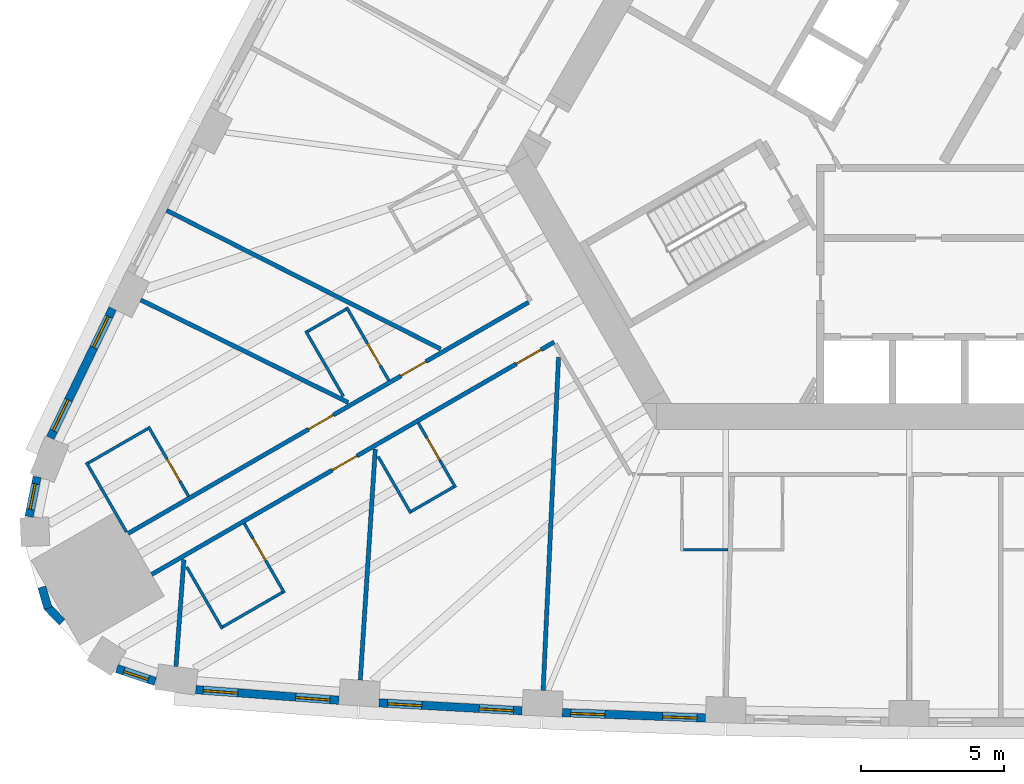
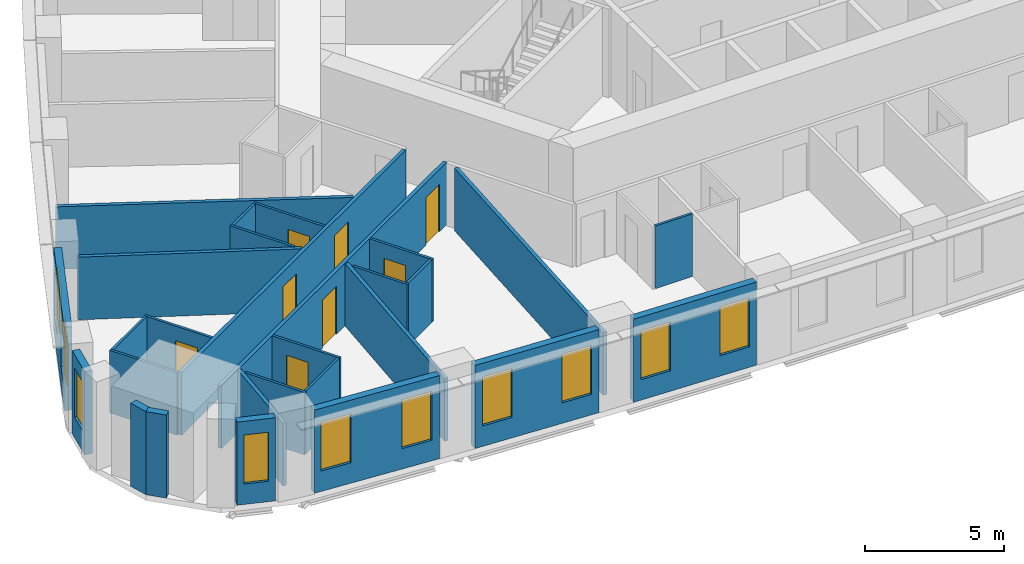
# One storey, part 3 of 13: 28 walls, 10 windows, 8 doors, 18 openings.
"""IFC4 building model written with IfcOpenShell, lengths in metres."""

from ifc_helpers import new_model, si_unit, direction, frame, frame_2d, origin, place, context, subcontext, project, spatial, rectangle, extrude, material, layer, layer_set, type_object, element, fill, save


model = new_model("IFC4")

# Units and contexts
model_context = context("Model", 3, precision=1e-05, world=origin(), true_north=direction((0.0, 1.0)))
body_context = subcontext(model_context, "Body", "Model", "MODEL_VIEW")
ifc_project = project(units=[si_unit("LENGTHUNIT", "METRE"), si_unit("AREAUNIT", "SQUARE_METRE"), si_unit("VOLUMEUNIT", "CUBIC_METRE"), si_unit("PLANEANGLEUNIT", "RADIAN"), si_unit("MASSUNIT", "GRAM", prefix="KILO")], contexts=[model_context])

# Site, building, storey
site_placement = place(None, origin())
site = spatial("IfcSite", under=ifc_project, at=site_placement, CompositionType="ELEMENT")
building_placement = place(site_placement, origin())
building = spatial("IfcBuilding", under=site, at=building_placement, Name="Mestral Congress Tower", CompositionType="ELEMENT")
storey_placement = place(building_placement, frame((0.0, 0.0, 35.39990234375)))
storey = spatial("IfcBuildingStorey", under=building, at=storey_placement, Name="L07", CompositionType="ELEMENT", Elevation=35.39990234375)

# Wall, openings, windows
ifc_material_1 = material(Name="Precast concrete C40/50 with limestone facing", Category="masonry")
ifc_layer_1 = layer(ifc_material_1, 0.2900390625)
ifc_layer_set_1 = layer_set([ifc_layer_1], Name="Precast concrete C40/50 with limestone facing")
wall_type_1 = type_object("IfcWallType", Name="Facade stone wall 290", PredefinedType="SOLIDWALL", material=ifc_layer_set_1)
wall_1_placement = place(storey_placement, frame((-28.097900390625, -22.086181640625, 0.0), z_axis=(0.0, 0.0, 1.0), x_axis=(0.997266290399, -0.073891447643, 0.0)))
wall_1 = element("IfcWall", 1, at=wall_1_placement, inside=storey, type_object=wall_type_1, Name="Facade wall F0-00", PredefinedType="SOLIDWALL", context=body_context, shape_type="SweptSolid", body=[
    extrude(rectangle(XDim=5.005615234375, YDim=0.2900390625, at=frame_2d((2.5029296875, 0.0))), origin(), (0.0, 0.0, 1.0), 3.650146484375),
])
opening_1_placement = place(wall_1_placement, frame((0.26513671875, 0.0, 0.89990234375)))
opening_1 = element("IfcOpeningElement", 2, at=opening_1_placement, cuts=wall_1, Name="Opening W1", PredefinedType="OPENING", context=body_context, shape_type="SweptSolid", body=[
    extrude(rectangle(XDim=1.199951171875, YDim=2.14990234375, at=frame_2d((0.60009765625, 1.074951171875))), frame((0.0, 0.155029296875, 0.0), z_axis=(0.0, -1.0, 0.0), x_axis=(1.0, 0.0, 0.0)), (0.0, 0.0, 1.0), 0.31005859375),
])
opening_2_placement = place(wall_1_placement, frame((3.49560546875, 0.0, 0.89990234375)))
opening_2 = element("IfcOpeningElement", 3, at=opening_2_placement, cuts=wall_1, Name="Opening W1", PredefinedType="OPENING", context=body_context, shape_type="SweptSolid", body=[
    extrude(rectangle(XDim=1.199951171875, YDim=2.14990234375, at=frame_2d((0.60009765625, 1.074951171875))), frame((0.0, 0.155029296875, 0.0), z_axis=(0.0, -1.0, 0.0), x_axis=(1.0, 0.0, 0.0)), (0.0, 0.0, 1.0), 0.31005859375),
])
ifc_material_2 = material(Name="Clear low-emissivity double glazing", Category="glass")
window_type_1 = type_object("IfcWindowType", Name="Facade punched window 1200 x 2150 sill 900", PartitioningType="DOUBLE_PANEL_VERTICAL", PredefinedType="WINDOW", material=ifc_material_2)
window_1_placement = place(opening_1_placement, origin())
window_1 = element("IfcWindow", 4, at=window_1_placement, inside=storey, type_object=window_type_1, Name="Window F0-00a", OverallHeight=2.14990234375, OverallWidth=1.199951171875, PartitioningType="DOUBLE_PANEL_VERTICAL", PredefinedType="WINDOW", context=body_context, shape_type="SweptSolid", body=[
    extrude(rectangle(XDim=1.199951171875, YDim=2.14990234375, at=frame_2d((0.60009765625, 1.074951171875))), frame((0.0, 0.01513671875, 0.0), z_axis=(0.0, -1.0, 0.0), x_axis=(1.0, 0.0, 0.0)), (0.0, 0.0, 1.0), 0.06005859375),
])
fill(opening_1, window_1)
window_2_placement = place(opening_2_placement, origin())
window_2 = element("IfcWindow", 5, at=window_2_placement, inside=storey, type_object=window_type_1, Name="Window F0-00b", OverallHeight=2.14990234375, OverallWidth=1.199951171875, PartitioningType="DOUBLE_PANEL_VERTICAL", PredefinedType="WINDOW", context=body_context, shape_type="SweptSolid", body=[
    extrude(rectangle(XDim=1.199951171875, YDim=2.14990234375, at=frame_2d((0.60009765625, 1.074951171875))), frame((0.0, 0.01513671875, 0.0), z_axis=(0.0, -1.0, 0.0), x_axis=(1.0, 0.0, 0.0)), (0.0, 0.0, 1.0), 0.06005859375),
])
fill(opening_2, window_2)

wall_2_placement = place(storey_placement, frame((-21.701416015625, -22.547119140625, 0.0), z_axis=(0.0, 0.0, 1.0), x_axis=(0.998464708705, -0.055391564976, 0.0)))
wall_2 = element("IfcWall", 6, at=wall_2_placement, inside=storey, type_object=wall_type_1, Name="Facade wall F0-01", PredefinedType="SOLIDWALL", context=body_context, shape_type="SweptSolid", body=[
    extrude(rectangle(XDim=4.998046875, YDim=0.2900390625, at=frame_2d((2.4990234375, 0.0))), origin(), (0.0, 0.0, 1.0), 3.650146484375),
])
opening_3_placement = place(wall_2_placement, frame((0.297119140625, 0.0, 0.89990234375)))
opening_3 = element("IfcOpeningElement", 7, at=opening_3_placement, cuts=wall_2, Name="Opening W1", PredefinedType="OPENING", context=body_context, shape_type="SweptSolid", body=[
    extrude(rectangle(XDim=1.199951171875, YDim=2.14990234375, at=frame_2d((0.60009765625, 1.074951171875))), frame((0.0, 0.155029296875, 0.0), z_axis=(0.0, -1.0, 0.0), x_axis=(1.0, 0.0, 0.0)), (0.0, 0.0, 1.0), 0.31005859375),
])
opening_4_placement = place(wall_2_placement, frame((3.501220703125, 0.0, 0.89990234375)))
opening_4 = element("IfcOpeningElement", 8, at=opening_4_placement, cuts=wall_2, Name="Opening W1", PredefinedType="OPENING", context=body_context, shape_type="SweptSolid", body=[
    extrude(rectangle(XDim=1.199951171875, YDim=2.14990234375, at=frame_2d((0.60009765625, 1.074951171875))), frame((0.0, 0.155029296875, 0.0), z_axis=(0.0, -1.0, 0.0), x_axis=(1.0, 0.0, 0.0)), (0.0, 0.0, 1.0), 0.31005859375),
])
window_3_placement = place(opening_3_placement, origin())
window_3 = element("IfcWindow", 9, at=window_3_placement, inside=storey, type_object=window_type_1, Name="Window F0-01a", OverallHeight=2.14990234375, OverallWidth=1.199951171875, PartitioningType="DOUBLE_PANEL_VERTICAL", PredefinedType="WINDOW", context=body_context, shape_type="SweptSolid", body=[
    extrude(rectangle(XDim=1.199951171875, YDim=2.14990234375, at=frame_2d((0.60009765625, 1.074951171875))), frame((0.0, 0.01513671875, 0.0), z_axis=(0.0, -1.0, 0.0), x_axis=(1.0, 0.0, 0.0)), (0.0, 0.0, 1.0), 0.06005859375),
])
fill(opening_3, window_3)
window_4_placement = place(opening_4_placement, origin())
window_4 = element("IfcWindow", 10, at=window_4_placement, inside=storey, type_object=window_type_1, Name="Window F0-01b", OverallHeight=2.14990234375, OverallWidth=1.199951171875, PartitioningType="DOUBLE_PANEL_VERTICAL", PredefinedType="WINDOW", context=body_context, shape_type="SweptSolid", body=[
    extrude(rectangle(XDim=1.199951171875, YDim=2.14990234375, at=frame_2d((0.60009765625, 1.074951171875))), frame((0.0, 0.01513671875, 0.0), z_axis=(0.0, -1.0, 0.0), x_axis=(1.0, 0.0, 0.0)), (0.0, 0.0, 1.0), 0.06005859375),
])
fill(opening_4, window_4)

wall_3_placement = place(storey_placement, frame((-15.30517578125, -22.88916015625, 0.0), z_axis=(0.0, 0.0, 1.0), x_axis=(0.999317974969, -0.036926750529, 0.0)))
wall_3 = element("IfcWall", 11, at=wall_3_placement, inside=storey, type_object=wall_type_1, Name="Facade wall F0-02", PredefinedType="SOLIDWALL", context=body_context, shape_type="SweptSolid", body=[
    extrude(rectangle(XDim=4.998291015625, YDim=0.2900390625, at=frame_2d((2.4990234375, 0.0))), origin(), (0.0, 0.0, 1.0), 3.650146484375),
])
opening_5_placement = place(wall_3_placement, frame((0.297119140625, 0.0, 0.89990234375)))
opening_5 = element("IfcOpeningElement", 12, at=opening_5_placement, cuts=wall_3, Name="Opening W1", PredefinedType="OPENING", context=body_context, shape_type="SweptSolid", body=[
    extrude(rectangle(XDim=1.199951171875, YDim=2.14990234375, at=frame_2d((0.60009765625, 1.074951171875))), frame((0.0, 0.155029296875, 0.0), z_axis=(0.0, -1.0, 0.0), x_axis=(1.0, 0.0, 0.0)), (0.0, 0.0, 1.0), 0.31005859375),
])
opening_6_placement = place(wall_3_placement, frame((3.501220703125, 0.0, 0.89990234375)))
opening_6 = element("IfcOpeningElement", 13, at=opening_6_placement, cuts=wall_3, Name="Opening W1", PredefinedType="OPENING", context=body_context, shape_type="SweptSolid", body=[
    extrude(rectangle(XDim=1.199951171875, YDim=2.14990234375, at=frame_2d((0.60009765625, 1.074951171875))), frame((0.0, 0.155029296875, 0.0), z_axis=(0.0, -1.0, 0.0), x_axis=(1.0, 0.0, 0.0)), (0.0, 0.0, 1.0), 0.31005859375),
])
window_5_placement = place(opening_5_placement, origin())
window_5 = element("IfcWindow", 14, at=window_5_placement, inside=storey, type_object=window_type_1, Name="Window F0-02a", OverallHeight=2.14990234375, OverallWidth=1.199951171875, PartitioningType="DOUBLE_PANEL_VERTICAL", PredefinedType="WINDOW", context=body_context, shape_type="SweptSolid", body=[
    extrude(rectangle(XDim=1.199951171875, YDim=2.14990234375, at=frame_2d((0.60009765625, 1.074951171875))), frame((0.0, 0.01513671875, 0.0), z_axis=(0.0, -1.0, 0.0), x_axis=(1.0, 0.0, 0.0)), (0.0, 0.0, 1.0), 0.06005859375),
])
fill(opening_5, window_5)
window_6_placement = place(opening_6_placement, origin())
window_6 = element("IfcWindow", 15, at=window_6_placement, inside=storey, type_object=window_type_1, Name="Window F0-02b", OverallHeight=2.14990234375, OverallWidth=1.199951171875, PartitioningType="DOUBLE_PANEL_VERTICAL", PredefinedType="WINDOW", context=body_context, shape_type="SweptSolid", body=[
    extrude(rectangle(XDim=1.199951171875, YDim=2.14990234375, at=frame_2d((0.60009765625, 1.074951171875))), frame((0.0, 0.01513671875, 0.0), z_axis=(0.0, -1.0, 0.0), x_axis=(1.0, 0.0, 0.0)), (0.0, 0.0, 1.0), 0.06005859375),
])
fill(opening_6, window_6)

wall_4_placement = place(storey_placement, frame((-31.000244140625, -8.7822265625, 0.0), z_axis=(0.0, 0.0, 1.0), x_axis=(-0.434664499056, -0.900592456808, 0.0)))
wall_4 = element("IfcWall", 16, at=wall_4_placement, inside=storey, type_object=wall_type_1, Name="Facade wall F2-08", PredefinedType="SOLIDWALL", context=body_context, shape_type="SweptSolid", body=[
    extrude(rectangle(XDim=5.005615234375, YDim=0.2900390625, at=frame_2d((2.5029296875, 0.0))), origin(), (0.0, 0.0, 1.0), 3.650146484375),
])
opening_7_placement = place(wall_4_placement, frame((0.310302734375, 0.0, 0.89990234375)))
opening_7 = element("IfcOpeningElement", 17, at=opening_7_placement, cuts=wall_4, Name="Opening W1", PredefinedType="OPENING", context=body_context, shape_type="SweptSolid", body=[
    extrude(rectangle(XDim=1.199951171875, YDim=2.14990234375, at=frame_2d((0.60009765625, 1.074951171875))), frame((0.0, 0.155029296875, 0.0), z_axis=(0.0, -1.0, 0.0), x_axis=(1.0, 0.0, 0.0)), (0.0, 0.0, 1.0), 0.31005859375),
])
opening_8_placement = place(wall_4_placement, frame((3.54052734375, 0.0, 0.89990234375)))
opening_8 = element("IfcOpeningElement", 18, at=opening_8_placement, cuts=wall_4, Name="Opening W1", PredefinedType="OPENING", context=body_context, shape_type="SweptSolid", body=[
    extrude(rectangle(XDim=1.199951171875, YDim=2.14990234375, at=frame_2d((0.60009765625, 1.074951171875))), frame((0.0, 0.155029296875, 0.0), z_axis=(0.0, -1.0, 0.0), x_axis=(1.0, 0.0, 0.0)), (0.0, 0.0, 1.0), 0.31005859375),
])
window_7_placement = place(opening_7_placement, origin())
window_7 = element("IfcWindow", 19, at=window_7_placement, inside=storey, type_object=window_type_1, Name="Window F2-08a", OverallHeight=2.14990234375, OverallWidth=1.199951171875, PartitioningType="DOUBLE_PANEL_VERTICAL", PredefinedType="WINDOW", context=body_context, shape_type="SweptSolid", body=[
    extrude(rectangle(XDim=1.199951171875, YDim=2.14990234375, at=frame_2d((0.60009765625, 1.074951171875))), frame((0.0, 0.01513671875, 0.0), z_axis=(0.0, -1.0, 0.0), x_axis=(1.0, 0.0, 0.0)), (0.0, 0.0, 1.0), 0.06005859375),
])
fill(opening_7, window_7)
window_8_placement = place(opening_8_placement, origin())
window_8 = element("IfcWindow", 20, at=window_8_placement, inside=storey, type_object=window_type_1, Name="Window F2-08b", OverallHeight=2.14990234375, OverallWidth=1.199951171875, PartitioningType="DOUBLE_PANEL_VERTICAL", PredefinedType="WINDOW", context=body_context, shape_type="SweptSolid", body=[
    extrude(rectangle(XDim=1.199951171875, YDim=2.14990234375, at=frame_2d((0.60009765625, 1.074951171875))), frame((0.0, 0.01513671875, 0.0), z_axis=(0.0, -1.0, 0.0), x_axis=(1.0, 0.0, 0.0)), (0.0, 0.0, 1.0), 0.06005859375),
])
fill(opening_8, window_8)

# Wall, opening, window
wall_5_placement = place(storey_placement, frame((-33.63720703125, -14.656982421875, 0.0), z_axis=(0.0, 0.0, 1.0), x_axis=(-0.198106888228, -0.980180422594, 0.0)))
wall_5 = element("IfcWall", 21, at=wall_5_placement, inside=storey, type_object=wall_type_1, Name="Facade wall K2-0", PredefinedType="SOLIDWALL", context=body_context, shape_type="SweptSolid", body=[
    extrude(rectangle(XDim=1.414794921875, YDim=0.2900390625, at=frame_2d((0.70751953125, 0.0))), origin(), (0.0, 0.0, 1.0), 3.650146484375),
])
opening_9_placement = place(wall_5_placement, frame((0.25732421875, 0.0, 0.89990234375)))
opening_9 = element("IfcOpeningElement", 22, at=opening_9_placement, cuts=wall_5, Name="Opening W3", PredefinedType="OPENING", context=body_context, shape_type="SweptSolid", body=[
    extrude(rectangle(XDim=0.89990234375, YDim=2.14990234375, at=frame_2d((0.449951171875, 1.074951171875))), frame((0.0, 0.155029296875, 0.0), z_axis=(0.0, -1.0, 0.0), x_axis=(1.0, 0.0, 0.0)), (0.0, 0.0, 1.0), 0.31005859375),
])
window_type_2 = type_object("IfcWindowType", Name="Facade punched window 900 x 2150 sill 900", PartitioningType="SINGLE_PANEL", PredefinedType="WINDOW", material=ifc_material_2)
window_9_placement = place(opening_9_placement, origin())
window_9 = element("IfcWindow", 23, at=window_9_placement, inside=storey, type_object=window_type_2, Name="Window K2-0", OverallHeight=2.14990234375, OverallWidth=0.89990234375, PartitioningType="SINGLE_PANEL", PredefinedType="WINDOW", context=body_context, shape_type="SweptSolid", body=[
    extrude(rectangle(XDim=0.89990234375, YDim=2.14990234375, at=frame_2d((0.449951171875, 1.074951171875))), frame((0.0, 0.01513671875, 0.0), z_axis=(0.0, -1.0, 0.0), x_axis=(1.0, 0.0, 0.0)), (0.0, 0.0, 1.0), 0.06005859375),
])
fill(opening_9, window_9)

# Walls
for number, where, z_axis, x_axis, name in (
    (24, (-33.4697265625, -18.507080078125, 0.0), (0.0, 0.0, 1.0), (0.278981320915, -0.960296528464, 0.0), "Facade wall K2-1"),
    (25, (-33.291259765625, -19.180908203125, 0.0), (0.0, 0.0, 1.0), (0.692252359589, -0.721655506903, 0.0), "Facade wall K2-2"),
):
    element("IfcWall", number, at=place(storey_placement, frame(where, z_axis=z_axis, x_axis=x_axis)), inside=storey, type_object=wall_type_1, Name=name, PredefinedType="SOLIDWALL", context=body_context, shape_type="SweptSolid", body=[
        extrude(rectangle(XDim=0.763916015625, YDim=0.2900390625, at=frame_2d((0.3818359375, 0.0))), origin(), (0.0, 0.0, 1.0), 3.650146484375),
    ])

# Wall, opening, window
wall_6_placement = place(storey_placement, frame((-30.852783203125, -21.3515625, 0.0), z_axis=(0.0, 0.0, 1.0), x_axis=(0.947903891592, -0.318556450734, 0.0)))
wall_6 = element("IfcWall", 26, at=wall_6_placement, inside=storey, type_object=wall_type_1, Name="Facade wall K2-3", PredefinedType="SOLIDWALL", context=body_context, shape_type="SweptSolid", body=[
    extrude(rectangle(XDim=1.414794921875, YDim=0.2900390625, at=frame_2d((0.70751953125, 0.0))), origin(), (0.0, 0.0, 1.0), 3.650146484375),
])
opening_10_placement = place(wall_6_placement, frame((0.25732421875, 0.0, 0.89990234375)))
opening_10 = element("IfcOpeningElement", 27, at=opening_10_placement, cuts=wall_6, Name="Opening W3", PredefinedType="OPENING", context=body_context, shape_type="SweptSolid", body=[
    extrude(rectangle(XDim=0.89990234375, YDim=2.14990234375, at=frame_2d((0.449951171875, 1.074951171875))), frame((0.0, 0.155029296875, 0.0), z_axis=(0.0, -1.0, 0.0), x_axis=(1.0, 0.0, 0.0)), (0.0, 0.0, 1.0), 0.31005859375),
])
window_10_placement = place(opening_10_placement, origin())
window_10 = element("IfcWindow", 28, at=window_10_placement, inside=storey, type_object=window_type_2, Name="Window K2-3", OverallHeight=2.14990234375, OverallWidth=0.89990234375, PartitioningType="SINGLE_PANEL", PredefinedType="WINDOW", context=body_context, shape_type="SweptSolid", body=[
    extrude(rectangle(XDim=0.89990234375, YDim=2.14990234375, at=frame_2d((0.449951171875, 1.074951171875))), frame((0.0, 0.01513671875, 0.0), z_axis=(0.0, -1.0, 0.0), x_axis=(1.0, 0.0, 0.0)), (0.0, 0.0, 1.0), 0.06005859375),
])
fill(opening_10, window_10)

# Wall, opening, door
ifc_material_3 = material(Name="Gypsum board partition on metal studs with mineral wool", Category="composite")
ifc_layer_2 = layer(ifc_material_3, 0.10009765625)
ifc_layer_set_2 = layer_set([ifc_layer_2], Name="Gypsum board partition on metal studs with mineral wool")
wall_type_2 = type_object("IfcWallType", Name="Hotel partition wall 100", PredefinedType="PARTITIONING", material=ifc_layer_set_2)
wall_7_placement = place(storey_placement, frame((-25.0048828125, -18.708984375, 0.0), z_axis=(0.0, 0.0, 1.0), x_axis=(-0.49998411664, 0.866034573852, 0.0)))
wall_7 = element("IfcWall", 29, at=wall_7_placement, inside=storey, type_object=wall_type_2, Name="L07-h-pod01a", PredefinedType="PARTITIONING", context=body_context, shape_type="SweptSolid", body=[
    extrude(rectangle(XDim=2.7998046875, YDim=0.10009765625, at=frame_2d((1.39990234375, 0.0))), origin(), (0.0, 0.0, 1.0), 2.75),
])
opening_11_placement = place(wall_7_placement, frame((1.300048828125, 0.0, 0.0)))
opening_11 = element("IfcOpeningElement", 30, at=opening_11_placement, cuts=wall_7, Name="Opening H01-002", PredefinedType="OPENING", context=body_context, shape_type="SweptSolid", body=[
    extrude(rectangle(XDim=0.89990234375, YDim=2.10009765625, at=frame_2d((0.449951171875, 1.050048828125))), frame((0.0, 0.06005859375, 0.0), z_axis=(0.0, -1.0, 0.0), x_axis=(1.0, 0.0, 0.0)), (0.0, 0.0, 1.0), 0.1201171875),
])
ifc_material_4 = material(Name="Timber veneer door leaf in timber frame", Category="wood")
door_type_1 = type_object("IfcDoorType", Name="Bathroom door 900", OperationType="SINGLE_SWING_LEFT", PredefinedType="DOOR", material=ifc_material_4)
door_1_placement = place(opening_11_placement, origin())
door_1 = element("IfcDoor", 31, at=door_1_placement, inside=storey, type_object=door_type_1, Name="L07-h-d002", OperationType="SINGLE_SWING_LEFT", OverallHeight=2.10009765625, OverallWidth=0.89990234375, PredefinedType="DOOR", context=body_context, shape_type="SweptSolid", body=[
    extrude(rectangle(XDim=0.89990234375, YDim=2.10009765625, at=frame_2d((0.449951171875, 1.050048828125))), frame((0.0, 0.02490234375, 0.0), z_axis=(0.0, -1.0, 0.0), x_axis=(1.0, 0.0, 0.0)), (0.0, 0.0, 1.0), 0.050048828125),
])
fill(opening_11, door_1)

# Walls
wall_8_placement = place(storey_placement, frame((-25.072998046875, -18.690673828125, 0.0), z_axis=(0.0, 0.0, 1.0), x_axis=(-0.866050077142, -0.499957262057, 0.0)))
element("IfcWall", 32, at=wall_8_placement, inside=storey, type_object=wall_type_2, Name="L07-h-pod01b", PredefinedType="PARTITIONING", context=body_context, shape_type="SweptSolid", body=[
    extrude(rectangle(XDim=2.400146484375, YDim=0.10009765625, at=frame_2d((1.2001953125, 0.0))), origin(), (0.0, 0.0, 1.0), 2.75),
])
wall_9_placement = place(storey_placement, frame((-28.414794921875, -17.802490234375, 0.0), z_axis=(0.0, 0.0, 1.0), x_axis=(0.499945955465, -0.866056604163, 0.0)))
element("IfcWall", 33, at=wall_9_placement, inside=storey, type_object=wall_type_2, Name="L07-h-pod01c", PredefinedType="PARTITIONING", context=body_context, shape_type="SweptSolid", body=[
    extrude(rectangle(XDim=2.489990234375, YDim=0.10009765625, at=frame_2d((1.2451171875, 0.0))), origin(), (0.0, 0.0, 1.0), 2.75),
])

# Wall, opening, door
wall_10_placement = place(storey_placement, frame((-19.030029296875, -15.028564453125, 0.0), z_axis=(0.0, 0.0, 1.0), x_axis=(-0.500006934395, 0.866021400173, 0.0)))
wall_10 = element("IfcWall", 34, at=wall_10_placement, inside=storey, type_object=wall_type_2, Name="L07-h-pod02a", PredefinedType="PARTITIONING", context=body_context, shape_type="SweptSolid", body=[
    extrude(rectangle(XDim=2.60009765625, YDim=0.10009765625, at=frame_2d((1.300048828125, 0.0))), origin(), (0.0, 0.0, 1.0), 2.75),
])
opening_12_placement = place(wall_10_placement, frame((1.10009765625, 0.0, 0.0)))
opening_12 = element("IfcOpeningElement", 35, at=opening_12_placement, cuts=wall_10, Name="Opening H01-004", PredefinedType="OPENING", context=body_context, shape_type="SweptSolid", body=[
    extrude(rectangle(XDim=0.89990234375, YDim=2.10009765625, at=frame_2d((0.449951171875, 1.050048828125))), frame((0.0, 0.06005859375, 0.0), z_axis=(0.0, -1.0, 0.0), x_axis=(1.0, 0.0, 0.0)), (0.0, 0.0, 1.0), 0.1201171875),
])
door_2_placement = place(opening_12_placement, origin())
door_2 = element("IfcDoor", 36, at=door_2_placement, inside=storey, type_object=door_type_1, Name="L07-h-d004", OperationType="SINGLE_SWING_LEFT", OverallHeight=2.10009765625, OverallWidth=0.89990234375, PredefinedType="DOOR", context=body_context, shape_type="SweptSolid", body=[
    extrude(rectangle(XDim=0.89990234375, YDim=2.10009765625, at=frame_2d((0.449951171875, 1.050048828125))), frame((0.0, 0.02490234375, 0.0), z_axis=(0.0, -1.0, 0.0), x_axis=(1.0, 0.0, 0.0)), (0.0, 0.0, 1.0), 0.050048828125),
])
fill(opening_12, door_2)

# Walls
wall_11_placement = place(storey_placement, frame((-19.098388671875, -15.01025390625, 0.0), z_axis=(0.0, 0.0, 1.0), x_axis=(-0.86605165483, -0.499954529098, 0.0)))
element("IfcWall", 37, at=wall_11_placement, inside=storey, type_object=wall_type_2, Name="L07-h-pod02b", PredefinedType="PARTITIONING", context=body_context, shape_type="SweptSolid", body=[
    extrude(rectangle(XDim=1.699951171875, YDim=0.10009765625, at=frame_2d((0.85009765625, 0.0))), origin(), (0.0, 0.0, 1.0), 2.75),
])
wall_12_placement = place(storey_placement, frame((-21.73388671875, -13.9453125, 0.0), z_axis=(0.0, 0.0, 1.0), x_axis=(0.500014693593, -0.866016920268, 0.0)))
element("IfcWall", 38, at=wall_12_placement, inside=storey, type_object=wall_type_2, Name="L07-h-pod02c", PredefinedType="PARTITIONING", context=body_context, shape_type="SweptSolid", body=[
    extrude(rectangle(XDim=2.2900390625, YDim=0.10009765625, at=frame_2d((1.14501953125, 0.0))), origin(), (0.0, 0.0, 1.0), 2.75),
])
wall_13_placement = place(storey_placement, frame((-11.07666015625, -17.199951171875, 0.0), z_axis=(0.0, 0.0, 1.0), x_axis=(1.0, 0.0, 0.0)))
element("IfcWall", 39, at=wall_13_placement, inside=storey, type_object=wall_type_2, Name="L07-h-pod03b", PredefinedType="PARTITIONING", context=body_context, shape_type="SweptSolid", body=[
    extrude(rectangle(XDim=1.550048828125, YDim=0.10009765625, at=frame_2d((0.77490234375, 0.0))), origin(), (0.0, 0.0, 1.0), 2.75),
])

# Wall, opening, door
wall_14_placement = place(storey_placement, frame((-21.360107421875, -11.29296875, 0.0), z_axis=(0.0, 0.0, 1.0), x_axis=(-0.49997559174, 0.866039495442, 0.0)))
wall_14 = element("IfcWall", 40, at=wall_14_placement, inside=storey, type_object=wall_type_2, Name="L07-h-pod29a", PredefinedType="PARTITIONING", context=body_context, shape_type="SweptSolid", body=[
    extrude(rectangle(XDim=2.949951171875, YDim=0.10009765625, at=frame_2d((1.47509765625, 0.0))), origin(), (0.0, 0.0, 1.0), 2.75),
])
opening_13_placement = place(wall_14_placement, frame((0.60009765625, 0.0, 0.0)))
opening_13 = element("IfcOpeningElement", 41, at=opening_13_placement, cuts=wall_14, Name="Opening H01-055", PredefinedType="OPENING", context=body_context, shape_type="SweptSolid", body=[
    extrude(rectangle(XDim=0.89990234375, YDim=2.10009765625, at=frame_2d((0.449951171875, 1.050048828125))), frame((0.0, 0.06005859375, 0.0), z_axis=(0.0, -1.0, 0.0), x_axis=(1.0, 0.0, 0.0)), (0.0, 0.0, 1.0), 0.1201171875),
])
door_3_placement = place(opening_13_placement, origin())
door_3 = element("IfcDoor", 42, at=door_3_placement, inside=storey, type_object=door_type_1, Name="L07-h-d055", OperationType="SINGLE_SWING_LEFT", OverallHeight=2.10009765625, OverallWidth=0.89990234375, PredefinedType="DOOR", context=body_context, shape_type="SweptSolid", body=[
    extrude(rectangle(XDim=0.89990234375, YDim=2.10009765625, at=frame_2d((0.449951171875, 1.050048828125))), frame((0.0, 0.02490234375, 0.0), z_axis=(0.0, -1.0, 0.0), x_axis=(1.0, 0.0, 0.0)), (0.0, 0.0, 1.0), 0.050048828125),
])
fill(opening_13, door_3)

# Walls
wall_15_placement = place(storey_placement, frame((-22.853271484375, -8.806396484375, 0.0), z_axis=(0.0, 0.0, 1.0), x_axis=(-0.86601511528, -0.500017819788, 0.0)))
element("IfcWall", 43, at=wall_15_placement, inside=storey, type_object=wall_type_2, Name="L07-h-pod29b", PredefinedType="PARTITIONING", context=body_context, shape_type="SweptSolid", body=[
    extrude(rectangle(XDim=1.55029296875, YDim=0.10009765625, at=frame_2d((0.775146484375, 0.0))), origin(), (0.0, 0.0, 1.0), 2.75),
])
wall_16_placement = place(storey_placement, frame((-22.944091796875, -11.849609375, 0.0), z_axis=(0.0, 0.0, 1.0), x_axis=(-0.499938597367, 0.866060851709, 0.0)))
element("IfcWall", 44, at=wall_16_placement, inside=storey, type_object=wall_type_2, Name="L07-h-pod29c", PredefinedType="PARTITIONING", context=body_context, shape_type="SweptSolid", body=[
    extrude(rectangle(XDim=2.639892578125, YDim=0.10009765625, at=frame_2d((1.31982421875, 0.0))), origin(), (0.0, 0.0, 1.0), 2.75),
])

# Wall, opening, door
wall_17_placement = place(storey_placement, frame((-28.352294921875, -15.330078125, 0.0), z_axis=(0.0, 0.0, 1.0), x_axis=(-0.500049511043, 0.865996816683, 0.0)))
wall_17 = element("IfcWall", 45, at=wall_17_placement, inside=storey, type_object=wall_type_2, Name="L07-h-pod30a", PredefinedType="PARTITIONING", context=body_context, shape_type="SweptSolid", body=[
    extrude(rectangle(XDim=2.800048828125, YDim=0.10009765625, at=frame_2d((1.39990234375, 0.0))), origin(), (0.0, 0.0, 1.0), 2.75),
])
opening_14_placement = place(wall_17_placement, frame((0.60009765625, 0.0, 0.0)))
opening_14 = element("IfcOpeningElement", 46, at=opening_14_placement, cuts=wall_17, Name="Opening H01-057", PredefinedType="OPENING", context=body_context, shape_type="SweptSolid", body=[
    extrude(rectangle(XDim=0.89990234375, YDim=2.10009765625, at=frame_2d((0.449951171875, 1.050048828125))), frame((0.0, 0.06005859375, 0.0), z_axis=(0.0, -1.0, 0.0), x_axis=(1.0, 0.0, 0.0)), (0.0, 0.0, 1.0), 0.1201171875),
])
door_4_placement = place(opening_14_placement, origin())
door_4 = element("IfcDoor", 47, at=door_4_placement, inside=storey, type_object=door_type_1, Name="L07-h-d057", OperationType="SINGLE_SWING_RIGHT", OverallHeight=2.10009765625, OverallWidth=0.89990234375, PredefinedType="DOOR", context=body_context, shape_type="SweptSolid", body=[
    extrude(rectangle(XDim=0.89990234375, YDim=2.10009765625, at=frame_2d((0.449951171875, 1.050048828125))), frame((0.0, 0.02490234375, 0.0), z_axis=(0.0, -1.0, 0.0), x_axis=(1.0, 0.0, 0.0)), (0.0, 0.0, 1.0), 0.050048828125),
])
fill(opening_14, door_4)

# Walls
wall_18_placement = place(storey_placement, frame((-29.770751953125, -12.973388671875, 0.0), z_axis=(0.0, 0.0, 1.0), x_axis=(-0.865980596518, -0.500077600433, 0.0)))
element("IfcWall", 48, at=wall_18_placement, inside=storey, type_object=wall_type_2, Name="L07-h-pod30b", PredefinedType="PARTITIONING", context=body_context, shape_type="SweptSolid", body=[
    extrude(rectangle(XDim=2.39990234375, YDim=0.10009765625, at=frame_2d((1.199951171875, 0.0))), origin(), (0.0, 0.0, 1.0), 2.75),
])
wall_19_placement = place(storey_placement, frame((-30.517578125, -16.580078125, 0.0), z_axis=(0.0, 0.0, 1.0), x_axis=(-0.49998411664, 0.866034573852, 0.0)))
element("IfcWall", 49, at=wall_19_placement, inside=storey, type_object=wall_type_2, Name="L07-h-pod30c", PredefinedType="PARTITIONING", context=body_context, shape_type="SweptSolid", body=[
    extrude(rectangle(XDim=2.7998046875, YDim=0.10009765625, at=frame_2d((1.39990234375, 0.0))), origin(), (0.0, 0.0, 1.0), 2.75),
])

# Wall, openings, doors
ifc_layer_3 = layer(ifc_material_3, 0.14990234375)
ifc_layer_set_3 = layer_set([ifc_layer_3], Name="Gypsum board partition on metal studs with mineral wool")
wall_type_3 = type_object("IfcWallType", Name="Hotel partition wall 150", PredefinedType="PARTITIONING", material=ifc_layer_set_3)
wall_20_placement = place(storey_placement, frame((-30.462646484375, -16.635009765625, 0.0), z_axis=(0.0, 0.0, 1.0), x_axis=(0.866022394896, 0.500005211512, 0.0)))
wall_20 = element("IfcWall", 50, at=wall_20_placement, inside=storey, type_object=wall_type_3, Name="L07-h-cw10", PredefinedType="PARTITIONING", context=body_context, shape_type="SweptSolid", body=[
    extrude(rectangle(XDim=16.143798828125, YDim=0.14990234375, at=frame_2d((8.07177734375, 0.0))), origin(), (0.0, 0.0, 1.0), 2.75),
])
opening_15_placement = place(wall_20_placement, frame((11.004150390625, 0.0, 0.0)))
opening_15 = element("IfcOpeningElement", 51, at=opening_15_placement, cuts=wall_20, Name="Opening H01-054", PredefinedType="OPENING", context=body_context, shape_type="SweptSolid", body=[
    extrude(rectangle(XDim=1.0, YDim=2.10009765625, at=frame_2d((0.5, 1.050048828125))), frame((0.0, 0.0849609375, 0.0), z_axis=(0.0, -1.0, 0.0), x_axis=(1.0, 0.0, 0.0)), (0.0, 0.0, 1.0), 0.169921875),
])
opening_16_placement = place(wall_20_placement, frame((7.273681640625, 0.0, 0.0)))
opening_16 = element("IfcOpeningElement", 52, at=opening_16_placement, cuts=wall_20, Name="Opening H01-056", PredefinedType="OPENING", context=body_context, shape_type="SweptSolid", body=[
    extrude(rectangle(XDim=1.0, YDim=2.10009765625, at=frame_2d((0.5, 1.050048828125))), frame((0.0, 0.0849609375, 0.0), z_axis=(0.0, -1.0, 0.0), x_axis=(1.0, 0.0, 0.0)), (0.0, 0.0, 1.0), 0.169921875),
])
ifc_material_5 = material(Name="Timber veneer door leaf in metal frame", Category="wood")
door_type_2 = type_object("IfcDoorType", Name="Guest room entrance door 1000", OperationType="SINGLE_SWING_LEFT", PredefinedType="DOOR", material=ifc_material_5)
door_5_placement = place(opening_15_placement, origin())
door_5 = element("IfcDoor", 53, at=door_5_placement, inside=storey, type_object=door_type_2, Name="L07-h-d054", OperationType="SINGLE_SWING_RIGHT", OverallHeight=2.10009765625, OverallWidth=1.0, PredefinedType="DOOR", context=body_context, shape_type="SweptSolid", body=[
    extrude(rectangle(XDim=1.0, YDim=2.10009765625, at=frame_2d((0.5, 1.050048828125))), frame((0.0, 0.02490234375, 0.0), z_axis=(0.0, -1.0, 0.0), x_axis=(1.0, 0.0, 0.0)), (0.0, 0.0, 1.0), 0.050048828125),
])
fill(opening_15, door_5)
door_6_placement = place(opening_16_placement, origin())
door_6 = element("IfcDoor", 54, at=door_6_placement, inside=storey, type_object=door_type_2, Name="L07-h-d056", OperationType="SINGLE_SWING_RIGHT", OverallHeight=2.10009765625, OverallWidth=1.0, PredefinedType="DOOR", context=body_context, shape_type="SweptSolid", body=[
    extrude(rectangle(XDim=1.0, YDim=2.10009765625, at=frame_2d((0.5, 1.050048828125))), frame((0.0, 0.02490234375, 0.0), z_axis=(0.0, -1.0, 0.0), x_axis=(1.0, 0.0, 0.0)), (0.0, 0.0, 1.0), 0.050048828125),
])
fill(opening_16, door_6)

wall_21_placement = place(storey_placement, frame((-15.58740234375, -9.951904296875, 0.0), z_axis=(0.0, 0.0, 1.0), x_axis=(-0.866022197818, -0.500005552856, 0.0)))
wall_21 = element("IfcWall", 55, at=wall_21_placement, inside=storey, type_object=wall_type_3, Name="L07-h-cw11", PredefinedType="PARTITIONING", context=body_context, shape_type="SweptSolid", body=[
    extrude(rectangle(XDim=16.223876953125, YDim=0.14990234375, at=frame_2d((8.11181640625, 0.0))), origin(), (0.0, 0.0, 1.0), 2.75),
])
opening_17_placement = place(wall_21_placement, frame((7.948974609375, 0.0, 0.0)))
opening_17 = element("IfcOpeningElement", 56, at=opening_17_placement, cuts=wall_21, Name="Opening H01-001", PredefinedType="OPENING", context=body_context, shape_type="SweptSolid", body=[
    extrude(rectangle(XDim=1.0, YDim=2.10009765625, at=frame_2d((0.5, 1.050048828125))), frame((0.0, 0.0849609375, 0.0), z_axis=(0.0, -1.0, 0.0), x_axis=(1.0, 0.0, 0.0)), (0.0, 0.0, 1.0), 0.169921875),
])
opening_18_placement = place(wall_21_placement, frame((0.525146484375, 0.0, 0.0)))
opening_18 = element("IfcOpeningElement", 57, at=opening_18_placement, cuts=wall_21, Name="Opening H01-003", PredefinedType="OPENING", context=body_context, shape_type="SweptSolid", body=[
    extrude(rectangle(XDim=1.0, YDim=2.10009765625, at=frame_2d((0.5, 1.050048828125))), frame((0.0, 0.0849609375, 0.0), z_axis=(0.0, -1.0, 0.0), x_axis=(1.0, 0.0, 0.0)), (0.0, 0.0, 1.0), 0.169921875),
])
door_7_placement = place(opening_17_placement, origin())
door_7 = element("IfcDoor", 58, at=door_7_placement, inside=storey, type_object=door_type_2, Name="L07-h-d001", OperationType="SINGLE_SWING_LEFT", OverallHeight=2.10009765625, OverallWidth=1.0, PredefinedType="DOOR", context=body_context, shape_type="SweptSolid", body=[
    extrude(rectangle(XDim=1.0, YDim=2.10009765625, at=frame_2d((0.5, 1.050048828125))), frame((0.0, 0.02490234375, 0.0), z_axis=(0.0, -1.0, 0.0), x_axis=(1.0, 0.0, 0.0)), (0.0, 0.0, 1.0), 0.050048828125),
])
fill(opening_17, door_7)
door_8_placement = place(opening_18_placement, origin())
door_8 = element("IfcDoor", 59, at=door_8_placement, inside=storey, type_object=door_type_2, Name="L07-h-d003", OperationType="SINGLE_SWING_LEFT", OverallHeight=2.10009765625, OverallWidth=1.0, PredefinedType="DOOR", context=body_context, shape_type="SweptSolid", body=[
    extrude(rectangle(XDim=1.0, YDim=2.10009765625, at=frame_2d((0.5, 1.050048828125))), frame((0.0, 0.02490234375, 0.0), z_axis=(0.0, -1.0, 0.0), x_axis=(1.0, 0.0, 0.0)), (0.0, 0.0, 1.0), 0.050048828125),
])
fill(opening_18, door_8)

# Walls
wall_22_placement = place(storey_placement, frame((-28.78955078125, -21.272705078125, 0.0), z_axis=(0.0, 0.0, 1.0), x_axis=(0.07382592098, 0.997271143366, 0.0)))
element("IfcWall", 60, at=wall_22_placement, inside=storey, type_object=wall_type_3, Name="L07-h-pw01", PredefinedType="PARTITIONING", context=body_context, shape_type="SweptSolid", body=[
    extrude(rectangle(XDim=3.733642578125, YDim=0.14990234375, at=frame_2d((1.86669921875, 0.0))), origin(), (0.0, 0.0, 1.0), 2.75),
])
for number, where, z_axis, x_axis, name in (
    (61, (-30.017578125, -8.48291015625, 0.0), (0.0, 0.0, 1.0), (0.896544505264, -0.44295366584, 0.0), "L07-h-pw02"),
    (62, (-22.355224609375, -21.75439453125, 0.0), (0.0, 0.0, 1.0), (0.064639533143, 0.997908678565, 0.0), "L07-h-pw03"),
):
    element("IfcWall", number, at=place(storey_placement, frame(where, z_axis=z_axis, x_axis=x_axis)), inside=storey, type_object=wall_type_3, Name=name, PredefinedType="PARTITIONING", context=body_context, shape_type="SweptSolid", body=[
        extrude(rectangle(XDim=8.078857421875, YDim=0.14990234375, at=frame_2d((4.03955078125, 0.0))), origin(), (0.0, 0.0, 1.0), 2.75),
    ])
wall_23_placement = place(storey_placement, frame((-29.119873046875, -5.355712890625, 0.0), z_axis=(0.0, 0.0, 1.0), x_axis=(0.892401965553, -0.451241323327, 0.0)))
element("IfcWall", 63, at=wall_23_placement, inside=storey, type_object=wall_type_3, Name="L07-h-pw04", PredefinedType="PARTITIONING", context=body_context, shape_type="SweptSolid", body=[
    extrude(rectangle(XDim=10.728759765625, YDim=0.14990234375, at=frame_2d((5.3642578125, 0.0))), origin(), (0.0, 0.0, 1.0), 2.75),
])
wall_24_placement = place(storey_placement, frame((-15.973388671875, -22.10888671875, 0.0), z_axis=(0.0, 0.0, 1.0), x_axis=(0.046191717129, 0.998932592955, 0.0)))
element("IfcWall", 64, at=wall_24_placement, inside=storey, type_object=wall_type_3, Name="L07-h-pw07", PredefinedType="PARTITIONING", context=body_context, shape_type="SweptSolid", body=[
    extrude(rectangle(XDim=11.638427734375, YDim=0.14990234375, at=frame_2d((5.8193359375, 0.0))), origin(), (0.0, 0.0, 1.0), 2.75),
])

save(model, "model.ifc")
